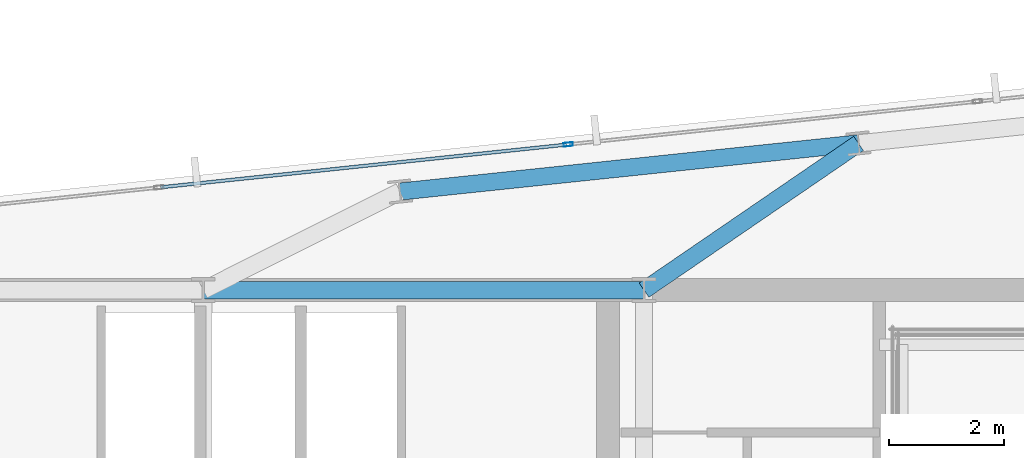
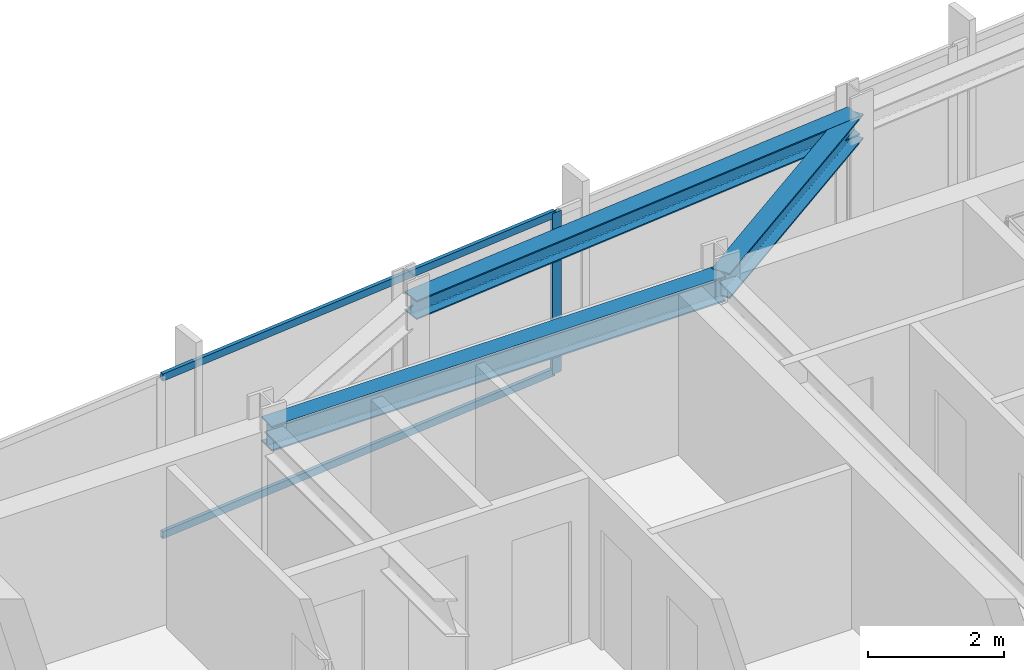
# One storey, part 22 of 33: 3 beams, 3 members, 1 element without a shape of its own.
"""IFC4 building model written with IfcOpenShell, lengths in metres."""

from ifc_helpers import new_model, si_unit, direction, frame, origin, origin_2d, place, context, subcontext, project, spatial, hollow_rectangle, i_section, extrude, material, material_profile, profile_set, type_object, element, aggregate, save


model = new_model("IFC4")

# Units and contexts
model_context = context("Model", 3, precision=1e-05, world=origin(), true_north=direction((0.0, 1.0)))
body_context = subcontext(model_context, "Body", "Model", "MODEL_VIEW")
ifc_project = project(units=[si_unit("LENGTHUNIT", "METRE"), si_unit("AREAUNIT", "SQUARE_METRE"), si_unit("VOLUMEUNIT", "CUBIC_METRE"), si_unit("PLANEANGLEUNIT", "RADIAN"), si_unit("MASSUNIT", "GRAM", prefix="KILO")], contexts=[model_context])

# Site, building, storey
site_placement = place(None, origin())
site = spatial("IfcSite", under=ifc_project, at=site_placement, CompositionType="ELEMENT")
building_placement = place(site_placement, origin())
building = spatial("IfcBuilding", under=site, at=building_placement, Name="Yelkora Congress Tower", CompositionType="ELEMENT")
storey_placement = place(building_placement, frame((0.0, 0.0, 244.10009765625)))
storey = spatial("IfcBuildingStorey", under=building, at=storey_placement, Name="L68", CompositionType="ELEMENT", Elevation=244.10009765625)

# Beams
ifc_material_1 = material(Name="Steel S355J2", Category="steel")
ifc_material_profile_1 = material_profile(ifc_material_1, i_section(OverallWidth=0.300048828125, OverallDepth=0.449951171875, WebThickness=0.013916015625, FlangeThickness=0.02587890625, FilletRadius=0.027099609375, at=origin_2d()), Name="HEB 450")
ifc_profile_set_1 = profile_set([ifc_material_profile_1], Name="Steel S355J2")
beam_type_1 = type_object("IfcBeamType", Name="BM-GIRD-HEB450", PredefinedType="BEAM", material=ifc_profile_set_1)
beam_1_placement = place(storey_placement, frame((38.39990234375, 46.199951171875, 2.65478515625), z_axis=(1.0, 0.0, 0.0), x_axis=(0.0, 1.0, 0.0)))
element("IfcBeam", 1, at=beam_1_placement, inside=storey, type_object=beam_type_1, Name="L68 Core North Girder 4", PredefinedType="BEAM", context=body_context, shape_type="SweptSolid", body=[
    extrude(i_section(OverallWidth=0.300048828125, OverallDepth=0.449951171875, WebThickness=0.013916015625, FlangeThickness=0.02587890625, FilletRadius=0.027099609375, at=origin_2d()), origin(), (0.0, 0.0, 1.0), 7.68017578125),
])
beam_2_placement = place(storey_placement, frame((49.8173828125, 48.757080078125, 2.65478515625), z_axis=(-0.825304616438, -0.564687781067, 0.0), x_axis=(0.564687781067, -0.825304616438, 0.0)))
element("IfcBeam", 2, at=beam_2_placement, inside=storey, type_object=beam_type_1, Name="L68 Primary Frame Girder N05", PredefinedType="BEAM", context=body_context, shape_type="SweptSolid", body=[
    extrude(i_section(OverallWidth=0.300048828125, OverallDepth=0.449951171875, WebThickness=0.013916015625, FlangeThickness=0.02587890625, FilletRadius=0.027099609375, at=origin_2d()), origin(), (0.0, 0.0, 1.0), 4.5283203125),
])
ifc_material_profile_2 = material_profile(ifc_material_1, i_section(OverallWidth=0.300048828125, OverallDepth=0.340087890625, WebThickness=0.011962890625, FlangeThickness=0.021484375, FilletRadius=0.027099609375, at=origin_2d()), Name="HEB 340")
ifc_profile_set_2 = profile_set([ifc_material_profile_2], Name="Steel S355J2")
beam_type_2 = type_object("IfcBeamType", Name="BM-SPAN-HEB340", PredefinedType="SPANDREL", material=ifc_profile_set_2)
beam_3_placement = place(storey_placement, frame((49.8173828125, 48.757080078125, 2.7099609375), z_axis=(-0.994523256947, -0.104515507904, 0.0), x_axis=(0.104515507904, -0.994523256947, 0.0)))
element("IfcBeam", 3, at=beam_3_placement, inside=storey, type_object=beam_type_2, Name="L68 Perimeter Beam 15", PredefinedType="SPANDREL", context=body_context, shape_type="SweptSolid", body=[
    extrude(i_section(OverallWidth=0.300048828125, OverallDepth=0.340087890625, WebThickness=0.011962890625, FlangeThickness=0.021484375, FilletRadius=0.027099609375, at=origin_2d()), origin(), (0.0, 0.0, 1.0), 8.033203125),
])

# Curtain wall, members
ifc_material_2 = material(Name="Anodised aluminium and insulated glass", Category="aluminium")
curtain_wall_type = type_object("IfcCurtainWallType", Name="CW-SYS-B4", PredefinedType="NOTDEFINED", material=ifc_material_2)
curtain_wall_placement = place(storey_placement, origin())
curtain_wall = element("IfcCurtainWall", 4, at=curtain_wall_placement, inside=storey, type_object=curtain_wall_type, Name="L68 Unitised Curtain Wall 10 (3)", PredefinedType="NOTDEFINED")
ifc_material_3 = material(Name="Anodised aluminium 6063-T6", Category="aluminium")
ifc_material_profile_3 = material_profile(ifc_material_3, hollow_rectangle(XDim=0.06494140625, YDim=0.159912109375, WallThickness=0.00390625, at=origin_2d()), Name="ALU 65x160x4")
ifc_profile_set_3 = profile_set([ifc_material_profile_3], Name="Anodised aluminium 6063-T6")
member_type_1 = type_object("IfcMemberType", Name="MEM-ML-B4", PredefinedType="MULLION", material=ifc_profile_set_3)
member_1_placement = place(storey_placement, frame((44.75830078125, 48.73828125, 0.0), z_axis=(0.0, 0.0, 1.0), x_axis=(-0.104527724021, 0.994521973066, 0.0)))
member_1 = element("IfcMember", 5, at=member_1_placement, type_object=member_type_1, Name="CW-B4 mullion 4", PredefinedType="MULLION", context=body_context, shape_type="SweptSolid", body=[
    extrude(hollow_rectangle(XDim=0.06494140625, YDim=0.159912109375, WallThickness=0.00390625, at=origin_2d()), origin(), (0.0, 0.0, 1.0), 2.8798828125),
])
ifc_material_profile_4 = material_profile(ifc_material_3, hollow_rectangle(XDim=0.06005859375, YDim=0.1298828125, WallThickness=0.00390625, at=origin_2d()), Name="ALU 60x130x4")
ifc_profile_set_4 = profile_set([ifc_material_profile_4], Name="Anodised aluminium 6063-T6")
member_type_2 = type_object("IfcMemberType", Name="MEM-TR-B4", PredefinedType="USERDEFINED", material=ifc_profile_set_4)
member_2_placement = place(storey_placement, frame((37.659912109375, 47.9921875, 0.02978515625), z_axis=(0.994521633799, 0.104530951904, 0.0), x_axis=(-0.104530951904, 0.994521633799, 0.0)))
member_2 = element("IfcMember", 6, at=member_2_placement, type_object=member_type_2, Name="CW-B4 transom 3.1", ObjectType="TRANSOM", PredefinedType="USERDEFINED", context=body_context, shape_type="SweptSolid", body=[
    extrude(hollow_rectangle(XDim=0.06005859375, YDim=0.1298828125, WallThickness=0.00390625, at=origin_2d()), origin(), (0.0, 0.0, 1.0), 7.104736328125),
])
member_3_placement = place(storey_placement, frame((37.659912109375, 47.9921875, 2.849853515625), z_axis=(0.994521633799, 0.104530951904, 0.0), x_axis=(-0.104530951904, 0.994521633799, 0.0)))
member_3 = element("IfcMember", 7, at=member_3_placement, type_object=member_type_2, Name="CW-B4 transom 3.2", ObjectType="TRANSOM", PredefinedType="USERDEFINED", context=body_context, shape_type="SweptSolid", body=[
    extrude(hollow_rectangle(XDim=0.06005859375, YDim=0.1298828125, WallThickness=0.00390625, at=origin_2d()), origin(), (0.0, 0.0, 1.0), 7.104736328125),
])
aggregate(curtain_wall, [member_1, member_2, member_3])

save(model, "model.ifc")
